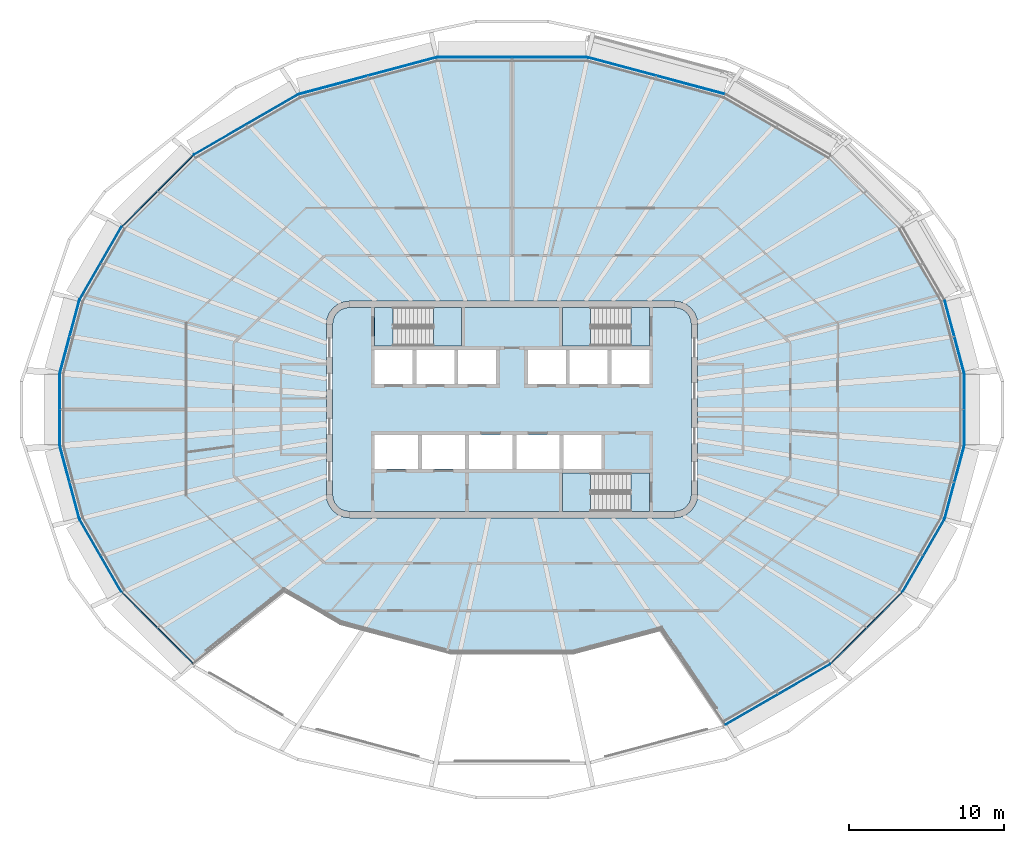
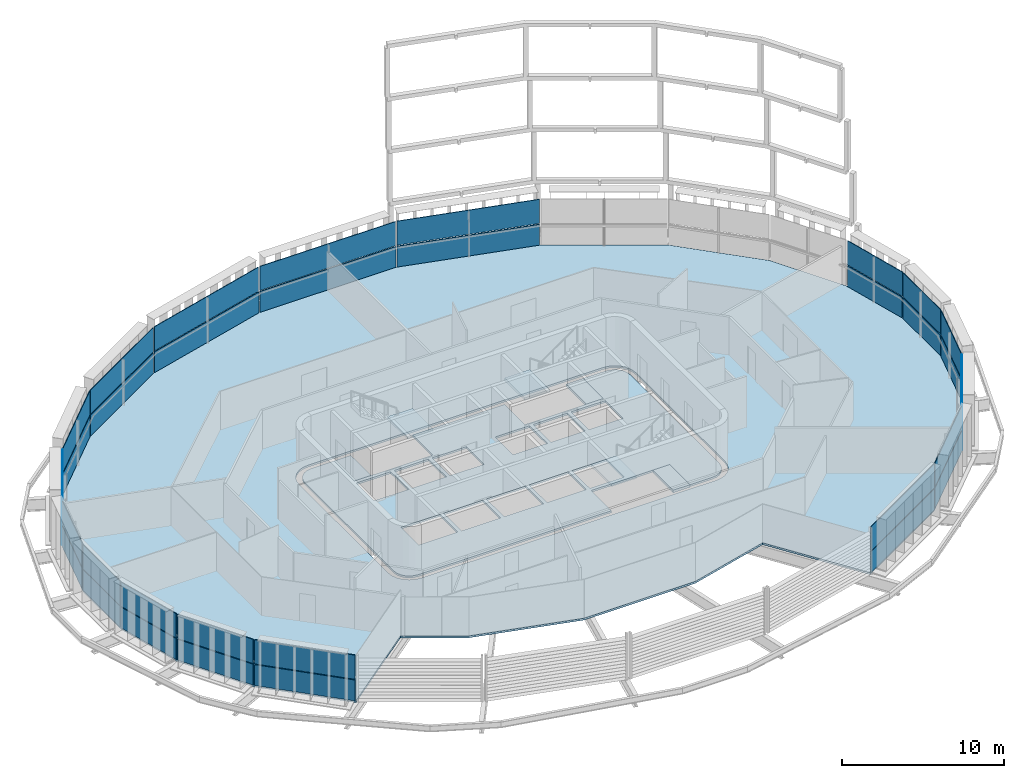
# One storey, part 8 of 19: 34 plates, 8 slabs, 20 elements without a shape of their own.
"""IFC4 building model written with IfcOpenShell, lengths in metres."""

from ifc_helpers import new_model, si_unit, direction, frame, origin, place, context, subcontext, project, spatial, polyline, outline, extrude, material, layer, layer_set, type_object, element, aggregate, save


model = new_model("IFC4")

# Units and contexts
model_context = context("Model", 3, precision=1e-05, world=origin(), true_north=direction((0.0, 1.0)))
body_context = subcontext(model_context, "Body", "Model", "MODEL_VIEW")
ifc_project = project(units=[si_unit("LENGTHUNIT", "METRE"), si_unit("AREAUNIT", "SQUARE_METRE"), si_unit("VOLUMEUNIT", "CUBIC_METRE"), si_unit("PLANEANGLEUNIT", "RADIAN"), si_unit("MASSUNIT", "GRAM", prefix="KILO")], contexts=[model_context])

# Site, building, storey
site_placement = place(None, origin())
site = spatial("IfcSite", under=ifc_project, at=site_placement, CompositionType="ELEMENT")
building_placement = place(site_placement, origin())
building = spatial("IfcBuilding", under=site, at=building_placement, Name="Sahrelin Media Tower", CompositionType="ELEMENT")
storey_placement = place(building_placement, frame((0.0, 0.0, 279.0)))
storey = spatial("IfcBuildingStorey", under=building, at=storey_placement, Name="L61", CompositionType="ELEMENT", Elevation=279.0)

# Slabs
ifc_material_1 = material(Name="Concrete C40/50", Category="concrete")
ifc_layer_1 = layer(ifc_material_1, 0.14990234375)
ifc_layer_set_1 = layer_set([ifc_layer_1], Name="Composite floor slab 150")
slab_type_1 = type_object("IfcSlabType", Name="Composite floor slab 150", PredefinedType="FLOOR", material=ifc_layer_set_1)
placement_1 = place(storey_placement, frame((0.0, 0.0, -0.14990234375)))
element("IfcSlab", 1, at=placement_1, inside=storey, type_object=slab_type_1, Name="Floor slab L61", PredefinedType="FLOOR", context=body_context, shape_type="SweptSolid", body=[
    extrude(outline(polyline([(27.949462890625, -7.06787109375), (29.21435546875, -2.34716796875), (29.21435546875, 2.34716796875), (27.949462890625, 7.06787109375), (25.20751953125, 11.817138671875), (20.602783203125, 16.421875), (13.775146484375, 20.36376953125), (4.88623046875, 22.74560546875), (-4.88623046875, 22.74560546875), (-13.775146484375, 20.36376953125), (-20.602783203125, 16.421875), (-25.20751953125, 11.817138671875), (-27.949462890625, 7.06787109375), (-29.21435546875, 2.34716796875), (-29.21435546875, -2.34716796875), (-27.949462890625, -7.06787109375), (-25.20751953125, -11.817138671875), (-20.602783203125, -16.421875), (-20.598388671875, -16.42431640625), (-14.7353515625, -11.74951171875), (-11.080810546875, -13.859375), (-3.96728515625, -15.765380859375), (3.96728515625, -15.765380859375), (9.634033203125, -14.2470703125), (13.77099609375, -20.364990234375), (13.775146484375, -20.36376953125), (20.602783203125, -16.421875), (25.20751953125, -11.817138671875), (27.949462890625, -7.06787109375)]), holes=[polyline([(11.799072265625, 6.25), (11.948974609375, 5.88818359375), (12.0, 5.5), (12.0, -5.5), (11.948974609375, -5.88818359375), (11.799072265625, -6.25), (11.560791015625, -6.560791015625), (11.25, -6.799072265625), (10.88818359375, -6.948974609375), (10.5, -7.0), (-10.5, -7.0), (-10.88818359375, -6.948974609375), (-11.25, -6.799072265625), (-11.560791015625, -6.560791015625), (-11.799072265625, -6.25), (-11.948974609375, -5.88818359375), (-12.0, -5.5), (-12.0, 5.5), (-11.948974609375, 5.88818359375), (-11.799072265625, 6.25), (-11.560791015625, 6.560791015625), (-11.25, 6.799072265625), (-10.88818359375, 6.948974609375), (-10.5, 7.0), (10.5, 7.0), (10.88818359375, 6.948974609375), (11.25, 6.799072265625), (11.560791015625, 6.560791015625), (11.799072265625, 6.25)])]), origin(), (0.0, 0.0, 1.0), 0.14990234375),
])
ifc_layer_2 = layer(ifc_material_1, 0.14990234375)
ifc_layer_set_2 = layer_set([ifc_layer_2], Name="Core floor slab 150")
slab_type_2 = type_object("IfcSlabType", Name="Core floor slab 150", PredefinedType="FLOOR", material=ifc_layer_set_2)
element("IfcSlab", 2, at=placement_1, inside=storey, type_object=slab_type_2, Name="Core floor", PredefinedType="FLOOR", context=body_context, shape_type="SweptSolid", body=[
    extrude(outline(polyline([(-11.60009765625, -5.473876953125), (-11.55908203125, -5.78369140625), (-11.44970703125, -6.04833984375), (-11.275390625, -6.275390625), (-11.04833984375, -6.44970703125), (-10.78369140625, -6.55908203125), (-10.473876953125, -6.60009765625), (3.27490234375, -6.60009765625), (3.27490234375, -4.10009765625), (8.875, -4.10009765625), (8.875, -6.60009765625), (10.473876953125, -6.60009765625), (10.78369140625, -6.55908203125), (11.04833984375, -6.44970703125), (11.275390625, -6.275390625), (11.44970703125, -6.04833984375), (11.55908203125, -5.78369140625), (11.60009765625, -5.473876953125), (11.60009765625, 5.473876953125), (11.55908203125, 5.78369140625), (11.44970703125, 6.04833984375), (11.275390625, 6.275390625), (11.04833984375, 6.44970703125), (10.78369140625, 6.55908203125), (10.473876953125, 6.60009765625), (8.875, 6.60009765625), (8.875, 4.10009765625), (3.27490234375, 4.10009765625), (3.27490234375, 6.60009765625), (-3.27490234375, 6.60009765625), (-3.27490234375, 4.10009765625), (-8.875, 4.10009765625), (-8.875, 6.60009765625), (-10.473876953125, 6.60009765625), (-10.78369140625, 6.55908203125), (-11.04833984375, 6.44970703125), (-11.275390625, 6.275390625), (-11.44970703125, 6.04833984375), (-11.55908203125, 5.78369140625), (-11.60009765625, 5.473876953125), (-11.60009765625, -5.473876953125)]), holes=[polyline([(-8.875, 3.85009765625), (-8.875, 1.64990234375), (-6.425048828125, 1.64990234375), (-6.425048828125, 3.85009765625), (-8.875, 3.85009765625)]), polyline([(-3.72509765625, 3.85009765625), (-6.175048828125, 3.85009765625), (-6.175048828125, 1.64990234375), (-3.72509765625, 1.64990234375), (-3.72509765625, 3.85009765625)]), polyline([(-1.02490234375, 1.64990234375), (-1.02490234375, 3.85009765625), (-3.47509765625, 3.85009765625), (-3.47509765625, 1.64990234375), (-1.02490234375, 1.64990234375)]), polyline([(1.02490234375, 1.64990234375), (3.47509765625, 1.64990234375), (3.47509765625, 3.85009765625), (1.02490234375, 3.85009765625), (1.02490234375, 1.64990234375)]), polyline([(3.72509765625, 3.85009765625), (3.72509765625, 1.64990234375), (6.175048828125, 1.64990234375), (6.175048828125, 3.85009765625), (3.72509765625, 3.85009765625)]), polyline([(8.875, 3.85009765625), (6.425048828125, 3.85009765625), (6.425048828125, 1.64990234375), (8.875, 1.64990234375), (8.875, 3.85009765625)]), polyline([(-6.074951171875, -3.85009765625), (-6.074951171875, -1.64990234375), (-8.875, -1.64990234375), (-8.875, -3.85009765625), (-6.074951171875, -3.85009765625)]), polyline([(-5.824951171875, -3.85009765625), (-3.02490234375, -3.85009765625), (-3.02490234375, -1.64990234375), (-5.824951171875, -1.64990234375), (-5.824951171875, -3.85009765625)]), polyline([(-2.77490234375, -1.64990234375), (-2.77490234375, -3.85009765625), (0.02490234375, -3.85009765625), (0.02490234375, -1.64990234375), (-2.77490234375, -1.64990234375)]), polyline([(3.074951171875, -1.64990234375), (0.27490234375, -1.64990234375), (0.27490234375, -3.85009765625), (3.074951171875, -3.85009765625), (3.074951171875, -1.64990234375)]), polyline([(5.77490234375, -3.85009765625), (5.77490234375, -1.64990234375), (3.324951171875, -1.64990234375), (3.324951171875, -3.85009765625), (5.77490234375, -3.85009765625)])]), origin(), (0.0, 0.0, 1.0), 0.14990234375),
])

# Curtain wall, plate
ifc_material_2 = material(Name="Champagne anodised aluminium 6063-T6", Category="aluminium")
ifc_layer_3 = layer(ifc_material_2, 0.14990234375)
ifc_layer_set_3 = layer_set([ifc_layer_3], Name="Tower ribbon curtain wall")
curtain_wall_type = type_object("IfcCurtainWallType", Name="Tower ribbon curtain wall", PredefinedType="NOTDEFINED", material=ifc_layer_set_3)
curtain_wall_1_placement = place(storey_placement, frame((29.234375, 0.0, 0.0), z_axis=(0.0, 0.0, 1.0), x_axis=(1.0, 0.0, 0.0)))
curtain_wall_1 = element("IfcCurtainWall", 3, at=curtain_wall_1_placement, inside=storey, type_object=curtain_wall_type, Name="L61:CW:L61-00", PredefinedType="NOTDEFINED")
ifc_material_3 = material(Name="Clear low-iron glazing", Category="glass")
ifc_layer_4 = layer(ifc_material_3, 0.048095703125)
ifc_layer_set_4 = layer_set([ifc_layer_4], Name="Glazing panel 48 mm CW1C")
plate_type_1 = type_object("IfcPlateType", Name="Glazing panel 48 mm CW1C", PredefinedType="CURTAIN_PANEL", material=ifc_layer_set_4)
plate_1_placement = place(storey_placement, frame((29.25439453125, -2.2998046875, 1.6298828125), z_axis=(1.0, 0.0, 0.0), x_axis=(0.0, 1.0, 0.0)))
plate_1 = element("IfcPlate", 4, at=plate_1_placement, type_object=plate_type_1, Name="L61:CWP2:L61-00", PredefinedType="CURTAIN_PANEL", context=body_context, shape_type="SweptSolid", body=[
    extrude(outline(polyline([(0.0, 0.0), (4.599609375, 0.0), (4.599609375, 1.818603515625), (0.0, 1.818603515625), (0.0, 0.0)])), origin(), (0.0, 0.0, -1.0), 0.048095703125),
])

curtain_wall_2_placement = place(storey_placement, frame((28.601318359375, 4.712646484375, 0.0), z_axis=(0.0, 0.0, 1.0), x_axis=(1.0, 0.0, 0.0)))
curtain_wall_2 = element("IfcCurtainWall", 5, at=curtain_wall_2_placement, inside=storey, type_object=curtain_wall_type, Name="L61:CW:L61-01", PredefinedType="NOTDEFINED")
plate_2_placement = place(storey_placement, frame((29.24072265625, 2.4033203125, 1.6298828125), z_axis=(0.965933271712, 0.258791256806, 0.0), x_axis=(-0.258791256806, 0.965933271712, 0.0)))
plate_2 = element("IfcPlate", 6, at=plate_2_placement, type_object=plate_type_1, Name="L61:CWP2:L61-01", PredefinedType="CURTAIN_PANEL", context=body_context, shape_type="SweptSolid", body=[
    extrude(outline(polyline([(0.0, 0.0), (4.79248046875, 0.0), (4.79248046875, 1.818603515625), (0.0, 1.818603515625), (0.0, 0.0)])), origin(), (0.0, 0.0, -1.0), 0.048095703125),
])

curtain_wall_3_placement = place(storey_placement, frame((9.3359375, 21.573974609375, 0.0), z_axis=(0.0, 0.0, 1.0), x_axis=(1.0, 0.0, 0.0)))
curtain_wall_3 = element("IfcCurtainWall", 7, at=curtain_wall_3_placement, inside=storey, type_object=curtain_wall_type, Name="L61:CW:L61-05", PredefinedType="NOTDEFINED")
plate_3_placement = place(storey_placement, frame((13.73974609375, 20.414794921875, 1.6298828125), z_axis=(0.258812012185, 0.965927710726, 0.0), x_axis=(-0.965927710726, 0.258812012185, 0.0)))
plate_3 = element("IfcPlate", 8, at=plate_3_placement, type_object=plate_type_1, Name="L61:CWP2:L61-05", PredefinedType="CURTAIN_PANEL", context=body_context, shape_type="SweptSolid", body=[
    extrude(outline(polyline([(0.0, 0.0), (9.107666015625, 0.0), (9.107666015625, 1.818603515625), (0.0, 1.818603515625), (0.0, 0.0)])), origin(), (0.0, 0.0, -1.0), 0.048095703125),
])

curtain_wall_4_placement = place(storey_placement, frame((0.0, 22.765380859375, 0.0), z_axis=(0.0, 0.0, 1.0), x_axis=(1.0, 0.0, 0.0)))
curtain_wall_4 = element("IfcCurtainWall", 9, at=curtain_wall_4_placement, inside=storey, type_object=curtain_wall_type, Name="L61:CW:L61-06", PredefinedType="NOTDEFINED")
plate_4_placement = place(storey_placement, frame((4.8388671875, 22.785400390625, 1.6298828125), z_axis=(0.0, 1.0, 0.0), x_axis=(-1.0, 0.0, 0.0)))
plate_4 = element("IfcPlate", 10, at=plate_4_placement, type_object=plate_type_1, Name="L61:CWP2:L61-06", PredefinedType="CURTAIN_PANEL", context=body_context, shape_type="SweptSolid", body=[
    extrude(outline(polyline([(0.0, 0.0), (9.677734375, 0.0), (9.677734375, 1.818603515625), (0.0, 1.818603515625), (0.0, 0.0)])), origin(), (0.0, 0.0, -1.0), 0.048095703125),
])

curtain_wall_5_placement = place(storey_placement, frame((-9.335693359375, 21.573974609375, 0.0), z_axis=(0.0, 0.0, 1.0), x_axis=(1.0, 0.0, 0.0)))
curtain_wall_5 = element("IfcCurtainWall", 11, at=curtain_wall_5_placement, inside=storey, type_object=curtain_wall_type, Name="L61:CW:L61-07", PredefinedType="NOTDEFINED")
plate_5_placement = place(storey_placement, frame((-4.9423828125, 22.77197265625, 1.6298828125), z_axis=(-0.258812012185, 0.965927710726, 0.0), x_axis=(-0.965927710726, -0.258812012185, 0.0)))
plate_5 = element("IfcPlate", 12, at=plate_5_placement, type_object=plate_type_1, Name="L61:CWP2:L61-07", PredefinedType="CURTAIN_PANEL", context=body_context, shape_type="SweptSolid", body=[
    extrude(outline(polyline([(0.0, 0.0), (9.107666015625, 0.0), (9.107666015625, 1.818603515625), (0.0, 1.818603515625), (0.0, 0.0)])), origin(), (0.0, 0.0, -1.0), 0.048095703125),
])

curtain_wall_6_placement = place(storey_placement, frame((-17.198974609375, 18.41015625, 0.0), z_axis=(0.0, 0.0, 1.0), x_axis=(1.0, 0.0, 0.0)))
curtain_wall_6 = element("IfcCurtainWall", 13, at=curtain_wall_6_placement, inside=storey, type_object=curtain_wall_type, Name="L61:CW:L61-08", PredefinedType="NOTDEFINED")
plate_6_placement = place(storey_placement, frame((-13.836181640625, 20.374755859375, 1.6298828125), z_axis=(-0.500019089391, 0.866014382239, 0.0), x_axis=(-0.866014382239, -0.500019089391, 0.0)))
plate_6 = element("IfcPlate", 14, at=plate_6_placement, type_object=plate_type_1, Name="L61:CWP2:L61-08", PredefinedType="CURTAIN_PANEL", context=body_context, shape_type="SweptSolid", body=[
    extrude(outline(polyline([(0.0, 0.0), (7.789306640625, 0.0), (7.789306640625, 1.818603515625), (0.0, 1.818603515625), (0.0, 0.0)])), origin(), (0.0, 0.0, -1.0), 0.048095703125),
])

curtain_wall_7_placement = place(storey_placement, frame((-22.919189453125, 14.1337890625, 0.0), z_axis=(0.0, 0.0, 1.0), x_axis=(1.0, 0.0, 0.0)))
curtain_wall_7 = element("IfcCurtainWall", 15, at=curtain_wall_7_placement, inside=storey, type_object=curtain_wall_type, Name="L61:CW:L61-09", PredefinedType="NOTDEFINED")
plate_7_placement = place(storey_placement, frame((-20.66455078125, 16.41650390625, 1.6298828125), z_axis=(-0.707106781187, 0.707106781187, 0.0), x_axis=(-0.707106781187, -0.707106781187, 0.0)))
plate_7 = element("IfcPlate", 16, at=plate_7_placement, type_object=plate_type_1, Name="L61:CWP2:L61-09", PredefinedType="CURTAIN_PANEL", context=body_context, shape_type="SweptSolid", body=[
    extrude(outline(polyline([(0.0, 0.0), (6.417236328125, 0.0), (6.417236328125, 1.818603515625), (0.0, 1.818603515625), (0.0, 0.0)])), origin(), (0.0, 0.0, -1.0), 0.048095703125),
])

curtain_wall_8_placement = place(storey_placement, frame((-26.595703125, 9.452392578125, 0.0), z_axis=(0.0, 0.0, 1.0), x_axis=(1.0, 0.0, 0.0)))
curtain_wall_8 = element("IfcCurtainWall", 17, at=curtain_wall_8_placement, inside=storey, type_object=curtain_wall_type, Name="L61:CW:L61-10", PredefinedType="NOTDEFINED")
plate_8_placement = place(storey_placement, frame((-25.265625, 11.796142578125, 1.6298828125), z_axis=(-0.866009810771, 0.50002700692, 0.0), x_axis=(-0.50002700692, -0.866009810771, 0.0)))
plate_8 = element("IfcPlate", 18, at=plate_8_placement, type_object=plate_type_1, Name="L61:CWP2:L61-10", PredefinedType="CURTAIN_PANEL", context=body_context, shape_type="SweptSolid", body=[
    extrude(outline(polyline([(0.0, 0.0), (5.389404296875, 0.0), (5.389404296875, 1.818603515625), (0.0, 1.818603515625), (0.0, 0.0)])), origin(), (0.0, 0.0, -1.0), 0.048095703125),
])

curtain_wall_9_placement = place(storey_placement, frame((-28.601318359375, 4.712646484375, 0.0), z_axis=(0.0, 0.0, 1.0), x_axis=(1.0, 0.0, 0.0)))
curtain_wall_9 = element("IfcCurtainWall", 19, at=curtain_wall_9_placement, inside=storey, type_object=curtain_wall_type, Name="L61:CW:L61-11", PredefinedType="NOTDEFINED")
plate_9_placement = place(storey_placement, frame((-28.00048828125, 7.032470703125, 1.6298828125), z_axis=(-0.965933271712, 0.258791256806, 0.0), x_axis=(-0.258791256806, -0.965933271712, 0.0)))
plate_9 = element("IfcPlate", 20, at=plate_9_placement, type_object=plate_type_1, Name="L61:CWP2:L61-11", PredefinedType="CURTAIN_PANEL", context=body_context, shape_type="SweptSolid", body=[
    extrude(outline(polyline([(0.0, 0.0), (4.79248046875, 0.0), (4.79248046875, 1.818603515625), (0.0, 1.818603515625), (0.0, 0.0)])), origin(), (0.0, 0.0, -1.0), 0.048095703125),
])

curtain_wall_10_placement = place(storey_placement, frame((-29.234375, 0.0, 0.0), z_axis=(0.0, 0.0, 1.0), x_axis=(1.0, 0.0, 0.0)))
curtain_wall_10 = element("IfcCurtainWall", 21, at=curtain_wall_10_placement, inside=storey, type_object=curtain_wall_type, Name="L61:CW:L61-12", PredefinedType="NOTDEFINED")
plate_10_placement = place(storey_placement, frame((-29.25439453125, 2.2998046875, 1.6298828125), z_axis=(-1.0, 0.0, 0.0), x_axis=(0.0, -1.0, 0.0)))
plate_10 = element("IfcPlate", 22, at=plate_10_placement, type_object=plate_type_1, Name="L61:CWP2:L61-12", PredefinedType="CURTAIN_PANEL", context=body_context, shape_type="SweptSolid", body=[
    extrude(outline(polyline([(0.0, 0.0), (4.599609375, 0.0), (4.599609375, 1.818603515625), (0.0, 1.818603515625), (0.0, 0.0)])), origin(), (0.0, 0.0, -1.0), 0.048095703125),
])

curtain_wall_11_placement = place(storey_placement, frame((-28.601318359375, -4.712646484375, 0.0), z_axis=(0.0, 0.0, 1.0), x_axis=(1.0, 0.0, 0.0)))
curtain_wall_11 = element("IfcCurtainWall", 23, at=curtain_wall_11_placement, inside=storey, type_object=curtain_wall_type, Name="L61:CW:L61-13", PredefinedType="NOTDEFINED")
plate_11_placement = place(storey_placement, frame((-29.24072265625, -2.4033203125, 1.6298828125), z_axis=(-0.965933271712, -0.258791256806, 0.0), x_axis=(0.258791256806, -0.965933271712, 0.0)))
plate_11 = element("IfcPlate", 24, at=plate_11_placement, type_object=plate_type_1, Name="L61:CWP2:L61-13", PredefinedType="CURTAIN_PANEL", context=body_context, shape_type="SweptSolid", body=[
    extrude(outline(polyline([(0.0, 0.0), (4.79248046875, 0.0), (4.79248046875, 1.818603515625), (0.0, 1.818603515625), (0.0, 0.0)])), origin(), (0.0, 0.0, -1.0), 0.048095703125),
])

curtain_wall_12_placement = place(storey_placement, frame((-26.595703125, -9.452392578125, 0.0), z_axis=(0.0, 0.0, 1.0), x_axis=(1.0, 0.0, 0.0)))
curtain_wall_12 = element("IfcCurtainWall", 25, at=curtain_wall_12_placement, inside=storey, type_object=curtain_wall_type, Name="L61:CW:L61-14", PredefinedType="NOTDEFINED")
plate_12_placement = place(storey_placement, frame((-27.96044921875, -7.12890625, 1.6298828125), z_axis=(-0.866009810771, -0.50002700692, 0.0), x_axis=(0.50002700692, -0.866009810771, 0.0)))
plate_12 = element("IfcPlate", 26, at=plate_12_placement, type_object=plate_type_1, Name="L61:CWP2:L61-14", PredefinedType="CURTAIN_PANEL", context=body_context, shape_type="SweptSolid", body=[
    extrude(outline(polyline([(0.0, 0.0), (5.389404296875, 0.0), (5.389404296875, 1.818603515625), (0.0, 1.818603515625), (0.0, 0.0)])), origin(), (0.0, 0.0, -1.0), 0.048095703125),
])

curtain_wall_13_placement = place(storey_placement, frame((-22.919189453125, -14.133544921875, 0.0), z_axis=(0.0, 0.0, 1.0), x_axis=(1.0, 0.0, 0.0)))
curtain_wall_13 = element("IfcCurtainWall", 27, at=curtain_wall_13_placement, inside=storey, type_object=curtain_wall_type, Name="L61:CW:L61-15", PredefinedType="NOTDEFINED")
plate_13_placement = place(storey_placement, frame((-25.2021484375, -11.87890625, 1.6298828125), z_axis=(-0.707106781187, -0.707106781187, 0.0), x_axis=(0.707106781187, -0.707106781187, 0.0)))
plate_13 = element("IfcPlate", 28, at=plate_13_placement, type_object=plate_type_1, Name="L61:CWP2:L61-15", PredefinedType="CURTAIN_PANEL", context=body_context, shape_type="SweptSolid", body=[
    extrude(outline(polyline([(0.0, 0.0), (6.417236328125, 0.0), (6.417236328125, 1.818603515625), (0.0, 1.818603515625), (0.0, 0.0)])), origin(), (0.0, 0.0, -1.0), 0.048095703125),
])

curtain_wall_14_placement = place(storey_placement, frame((17.198974609375, -18.41015625, 0.0), z_axis=(0.0, 0.0, 1.0), x_axis=(1.0, 0.0, 0.0)))
curtain_wall_14 = element("IfcCurtainWall", 29, at=curtain_wall_14_placement, inside=storey, type_object=curtain_wall_type, Name="L61:CW:L61-20", PredefinedType="NOTDEFINED")
plate_14_placement = place(storey_placement, frame((13.836181640625, -20.374755859375, 1.6298828125), z_axis=(0.500019089391, -0.866014382239, 0.0), x_axis=(0.866014382239, 0.500019089391, 0.0)))
plate_14 = element("IfcPlate", 30, at=plate_14_placement, type_object=plate_type_1, Name="L61:CWP2:L61-20", PredefinedType="CURTAIN_PANEL", context=body_context, shape_type="SweptSolid", body=[
    extrude(outline(polyline([(0.0, 0.0), (7.789306640625, 0.0), (7.789306640625, 1.818603515625), (0.0, 1.818603515625), (0.0, 0.0)])), origin(), (0.0, 0.0, -1.0), 0.048095703125),
])

curtain_wall_15_placement = place(storey_placement, frame((22.919189453125, -14.1337890625, 0.0), z_axis=(0.0, 0.0, 1.0), x_axis=(1.0, 0.0, 0.0)))
curtain_wall_15 = element("IfcCurtainWall", 31, at=curtain_wall_15_placement, inside=storey, type_object=curtain_wall_type, Name="L61:CW:L61-21", PredefinedType="NOTDEFINED")
plate_15_placement = place(storey_placement, frame((20.66455078125, -16.41650390625, 1.6298828125), z_axis=(0.707106781187, -0.707106781187, 0.0), x_axis=(0.707106781187, 0.707106781187, 0.0)))
plate_15 = element("IfcPlate", 32, at=plate_15_placement, type_object=plate_type_1, Name="L61:CWP2:L61-21", PredefinedType="CURTAIN_PANEL", context=body_context, shape_type="SweptSolid", body=[
    extrude(outline(polyline([(0.0, 0.0), (6.417236328125, 0.0), (6.417236328125, 1.818603515625), (0.0, 1.818603515625), (0.0, 0.0)])), origin(), (0.0, 0.0, -1.0), 0.048095703125),
])

curtain_wall_16_placement = place(storey_placement, frame((26.595703125, -9.452392578125, 0.0), z_axis=(0.0, 0.0, 1.0), x_axis=(1.0, 0.0, 0.0)))
curtain_wall_16 = element("IfcCurtainWall", 33, at=curtain_wall_16_placement, inside=storey, type_object=curtain_wall_type, Name="L61:CW:L61-22", PredefinedType="NOTDEFINED")
plate_16_placement = place(storey_placement, frame((25.265625, -11.796142578125, 1.6298828125), z_axis=(0.866009810771, -0.50002700692, 0.0), x_axis=(0.50002700692, 0.866009810771, 0.0)))
plate_16 = element("IfcPlate", 34, at=plate_16_placement, type_object=plate_type_1, Name="L61:CWP2:L61-22", PredefinedType="CURTAIN_PANEL", context=body_context, shape_type="SweptSolid", body=[
    extrude(outline(polyline([(0.0, 0.0), (5.389404296875, 0.0), (5.389404296875, 1.818603515625), (0.0, 1.818603515625), (0.0, 0.0)])), origin(), (0.0, 0.0, -1.0), 0.048095703125),
])

curtain_wall_17_placement = place(storey_placement, frame((28.601318359375, -4.712646484375, 0.0), z_axis=(0.0, 0.0, 1.0), x_axis=(1.0, 0.0, 0.0)))
curtain_wall_17 = element("IfcCurtainWall", 35, at=curtain_wall_17_placement, inside=storey, type_object=curtain_wall_type, Name="L61:CW:L61-23", PredefinedType="NOTDEFINED")
plate_17_placement = place(storey_placement, frame((28.00048828125, -7.032470703125, 1.6298828125), z_axis=(0.965933271712, -0.258791256806, 0.0), x_axis=(0.258791256806, 0.965933271712, 0.0)))
plate_17 = element("IfcPlate", 36, at=plate_17_placement, type_object=plate_type_1, Name="L61:CWP2:L61-23", PredefinedType="CURTAIN_PANEL", context=body_context, shape_type="SweptSolid", body=[
    extrude(outline(polyline([(0.0, 0.0), (4.79248046875, 0.0), (4.79248046875, 1.818603515625), (0.0, 1.818603515625), (0.0, 0.0)])), origin(), (0.0, 0.0, -1.0), 0.048095703125),
])

# Plate
ifc_material_4 = material(Name="Insulated spandrel panel")
ifc_layer_5 = layer(ifc_material_4, 0.06005859375)
ifc_layer_set_5 = layer_set([ifc_layer_5], Name="Spandrel panel 60 mm CW1")
plate_type_2 = type_object("IfcPlateType", Name="Spandrel panel 60 mm CW1", PredefinedType="SHEET", material=ifc_layer_set_5)
plate_18_placement = place(storey_placement, frame((29.25439453125, -2.2998046875, 0.0), z_axis=(1.0, 0.0, 0.0), x_axis=(0.0, 1.0, 0.0)))
plate_18 = element("IfcPlate", 37, at=plate_18_placement, type_object=plate_type_2, Name="L61:CWP1:L61-00", PredefinedType="SHEET", context=body_context, shape_type="SweptSolid", body=[
    extrude(outline(polyline([(0.0, 0.0), (4.599609375, 0.0), (4.599609375, 1.570068359375), (0.0, 1.570068359375), (0.0, 0.0)])), origin(), (0.0, 0.0, -1.0), 0.06005859375),
])

aggregate(curtain_wall_1, [plate_18, plate_1])

plate_19_placement = place(storey_placement, frame((29.24072265625, 2.4033203125, 0.0), z_axis=(0.965933271712, 0.258791256806, 0.0), x_axis=(-0.258791256806, 0.965933271712, 0.0)))
plate_19 = element("IfcPlate", 38, at=plate_19_placement, type_object=plate_type_2, Name="L61:CWP1:L61-01", PredefinedType="SHEET", context=body_context, shape_type="SweptSolid", body=[
    extrude(outline(polyline([(0.0, 0.0), (4.79248046875, 0.0), (4.79248046875, 1.570068359375), (0.0, 1.570068359375), (0.0, 0.0)])), origin(), (0.0, 0.0, -1.0), 0.06005859375),
])

aggregate(curtain_wall_2, [plate_19, plate_2])

plate_20_placement = place(storey_placement, frame((13.73974609375, 20.414794921875, 0.0), z_axis=(0.258812012185, 0.965927710726, 0.0), x_axis=(-0.965927710726, 0.258812012185, 0.0)))
plate_20 = element("IfcPlate", 39, at=plate_20_placement, type_object=plate_type_2, Name="L61:CWP1:L61-05", PredefinedType="SHEET", context=body_context, shape_type="SweptSolid", body=[
    extrude(outline(polyline([(0.0, 0.0), (9.107666015625, 0.0), (9.107666015625, 1.570068359375), (0.0, 1.570068359375), (0.0, 0.0)])), origin(), (0.0, 0.0, -1.0), 0.06005859375),
])

aggregate(curtain_wall_3, [plate_20, plate_3])

plate_21_placement = place(storey_placement, frame((4.8388671875, 22.785400390625, 0.0), z_axis=(0.0, 1.0, 0.0), x_axis=(-1.0, 0.0, 0.0)))
plate_21 = element("IfcPlate", 40, at=plate_21_placement, type_object=plate_type_2, Name="L61:CWP1:L61-06", PredefinedType="SHEET", context=body_context, shape_type="SweptSolid", body=[
    extrude(outline(polyline([(0.0, 0.0), (9.677734375, 0.0), (9.677734375, 1.570068359375), (0.0, 1.570068359375), (0.0, 0.0)])), origin(), (0.0, 0.0, -1.0), 0.06005859375),
])

aggregate(curtain_wall_4, [plate_21, plate_4])

plate_22_placement = place(storey_placement, frame((-4.9423828125, 22.77197265625, 0.0), z_axis=(-0.258812012185, 0.965927710726, 0.0), x_axis=(-0.965927710726, -0.258812012185, 0.0)))
plate_22 = element("IfcPlate", 41, at=plate_22_placement, type_object=plate_type_2, Name="L61:CWP1:L61-07", PredefinedType="SHEET", context=body_context, shape_type="SweptSolid", body=[
    extrude(outline(polyline([(0.0, 0.0), (9.107666015625, 0.0), (9.107666015625, 1.570068359375), (0.0, 1.570068359375), (0.0, 0.0)])), origin(), (0.0, 0.0, -1.0), 0.06005859375),
])

aggregate(curtain_wall_5, [plate_22, plate_5])

plate_23_placement = place(storey_placement, frame((-13.836181640625, 20.374755859375, 0.0), z_axis=(-0.500019089391, 0.866014382239, 0.0), x_axis=(-0.866014382239, -0.500019089391, 0.0)))
plate_23 = element("IfcPlate", 42, at=plate_23_placement, type_object=plate_type_2, Name="L61:CWP1:L61-08", PredefinedType="SHEET", context=body_context, shape_type="SweptSolid", body=[
    extrude(outline(polyline([(0.0, 0.0), (7.789306640625, 0.0), (7.789306640625, 1.570068359375), (0.0, 1.570068359375), (0.0, 0.0)])), origin(), (0.0, 0.0, -1.0), 0.06005859375),
])

aggregate(curtain_wall_6, [plate_23, plate_6])

plate_24_placement = place(storey_placement, frame((-20.66455078125, 16.41650390625, 0.0), z_axis=(-0.707106781187, 0.707106781187, 0.0), x_axis=(-0.707106781187, -0.707106781187, 0.0)))
plate_24 = element("IfcPlate", 43, at=plate_24_placement, type_object=plate_type_2, Name="L61:CWP1:L61-09", PredefinedType="SHEET", context=body_context, shape_type="SweptSolid", body=[
    extrude(outline(polyline([(0.0, 0.0), (6.417236328125, 0.0), (6.417236328125, 1.570068359375), (0.0, 1.570068359375), (0.0, 0.0)])), origin(), (0.0, 0.0, -1.0), 0.06005859375),
])

aggregate(curtain_wall_7, [plate_24, plate_7])

plate_25_placement = place(storey_placement, frame((-25.265625, 11.796142578125, 0.0), z_axis=(-0.866009810771, 0.50002700692, 0.0), x_axis=(-0.50002700692, -0.866009810771, 0.0)))
plate_25 = element("IfcPlate", 44, at=plate_25_placement, type_object=plate_type_2, Name="L61:CWP1:L61-10", PredefinedType="SHEET", context=body_context, shape_type="SweptSolid", body=[
    extrude(outline(polyline([(0.0, 0.0), (5.389404296875, 0.0), (5.389404296875, 1.570068359375), (0.0, 1.570068359375), (0.0, 0.0)])), origin(), (0.0, 0.0, -1.0), 0.06005859375),
])

aggregate(curtain_wall_8, [plate_25, plate_8])

plate_26_placement = place(storey_placement, frame((-28.00048828125, 7.032470703125, 0.0), z_axis=(-0.965933271712, 0.258791256806, 0.0), x_axis=(-0.258791256806, -0.965933271712, 0.0)))
plate_26 = element("IfcPlate", 45, at=plate_26_placement, type_object=plate_type_2, Name="L61:CWP1:L61-11", PredefinedType="SHEET", context=body_context, shape_type="SweptSolid", body=[
    extrude(outline(polyline([(0.0, 0.0), (4.79248046875, 0.0), (4.79248046875, 1.570068359375), (0.0, 1.570068359375), (0.0, 0.0)])), origin(), (0.0, 0.0, -1.0), 0.06005859375),
])

aggregate(curtain_wall_9, [plate_26, plate_9])

plate_27_placement = place(storey_placement, frame((-29.25439453125, 2.2998046875, 0.0), z_axis=(-1.0, 0.0, 0.0), x_axis=(0.0, -1.0, 0.0)))
plate_27 = element("IfcPlate", 46, at=plate_27_placement, type_object=plate_type_2, Name="L61:CWP1:L61-12", PredefinedType="SHEET", context=body_context, shape_type="SweptSolid", body=[
    extrude(outline(polyline([(0.0, 0.0), (4.599609375, 0.0), (4.599609375, 1.570068359375), (0.0, 1.570068359375), (0.0, 0.0)])), origin(), (0.0, 0.0, -1.0), 0.06005859375),
])

aggregate(curtain_wall_10, [plate_27, plate_10])

plate_28_placement = place(storey_placement, frame((-29.24072265625, -2.4033203125, 0.0), z_axis=(-0.965933271712, -0.258791256806, 0.0), x_axis=(0.258791256806, -0.965933271712, 0.0)))
plate_28 = element("IfcPlate", 47, at=plate_28_placement, type_object=plate_type_2, Name="L61:CWP1:L61-13", PredefinedType="SHEET", context=body_context, shape_type="SweptSolid", body=[
    extrude(outline(polyline([(0.0, 0.0), (4.79248046875, 0.0), (4.79248046875, 1.570068359375), (0.0, 1.570068359375), (0.0, 0.0)])), origin(), (0.0, 0.0, -1.0), 0.06005859375),
])

aggregate(curtain_wall_11, [plate_28, plate_11])

plate_29_placement = place(storey_placement, frame((-27.96044921875, -7.12890625, 0.0), z_axis=(-0.866009810771, -0.50002700692, 0.0), x_axis=(0.50002700692, -0.866009810771, 0.0)))
plate_29 = element("IfcPlate", 48, at=plate_29_placement, type_object=plate_type_2, Name="L61:CWP1:L61-14", PredefinedType="SHEET", context=body_context, shape_type="SweptSolid", body=[
    extrude(outline(polyline([(0.0, 0.0), (5.389404296875, 0.0), (5.389404296875, 1.570068359375), (0.0, 1.570068359375), (0.0, 0.0)])), origin(), (0.0, 0.0, -1.0), 0.06005859375),
])

aggregate(curtain_wall_12, [plate_29, plate_12])

plate_30_placement = place(storey_placement, frame((-25.2021484375, -11.87890625, 0.0), z_axis=(-0.707106781187, -0.707106781187, 0.0), x_axis=(0.707106781187, -0.707106781187, 0.0)))
plate_30 = element("IfcPlate", 49, at=plate_30_placement, type_object=plate_type_2, Name="L61:CWP1:L61-15", PredefinedType="SHEET", context=body_context, shape_type="SweptSolid", body=[
    extrude(outline(polyline([(0.0, 0.0), (6.417236328125, 0.0), (6.417236328125, 1.570068359375), (0.0, 1.570068359375), (0.0, 0.0)])), origin(), (0.0, 0.0, -1.0), 0.06005859375),
])

aggregate(curtain_wall_13, [plate_30, plate_13])

plate_31_placement = place(storey_placement, frame((13.836181640625, -20.374755859375, 0.0), z_axis=(0.500019089391, -0.866014382239, 0.0), x_axis=(0.866014382239, 0.500019089391, 0.0)))
plate_31 = element("IfcPlate", 50, at=plate_31_placement, type_object=plate_type_2, Name="L61:CWP1:L61-20", PredefinedType="SHEET", context=body_context, shape_type="SweptSolid", body=[
    extrude(outline(polyline([(0.0, 0.0), (7.789306640625, 0.0), (7.789306640625, 1.570068359375), (0.0, 1.570068359375), (0.0, 0.0)])), origin(), (0.0, 0.0, -1.0), 0.06005859375),
])

aggregate(curtain_wall_14, [plate_31, plate_14])

plate_32_placement = place(storey_placement, frame((20.66455078125, -16.41650390625, 0.0), z_axis=(0.707106781187, -0.707106781187, 0.0), x_axis=(0.707106781187, 0.707106781187, 0.0)))
plate_32 = element("IfcPlate", 51, at=plate_32_placement, type_object=plate_type_2, Name="L61:CWP1:L61-21", PredefinedType="SHEET", context=body_context, shape_type="SweptSolid", body=[
    extrude(outline(polyline([(0.0, 0.0), (6.417236328125, 0.0), (6.417236328125, 1.570068359375), (0.0, 1.570068359375), (0.0, 0.0)])), origin(), (0.0, 0.0, -1.0), 0.06005859375),
])

aggregate(curtain_wall_15, [plate_32, plate_15])

plate_33_placement = place(storey_placement, frame((25.265625, -11.796142578125, 0.0), z_axis=(0.866009810771, -0.50002700692, 0.0), x_axis=(0.50002700692, 0.866009810771, 0.0)))
plate_33 = element("IfcPlate", 52, at=plate_33_placement, type_object=plate_type_2, Name="L61:CWP1:L61-22", PredefinedType="SHEET", context=body_context, shape_type="SweptSolid", body=[
    extrude(outline(polyline([(0.0, 0.0), (5.389404296875, 0.0), (5.389404296875, 1.570068359375), (0.0, 1.570068359375), (0.0, 0.0)])), origin(), (0.0, 0.0, -1.0), 0.06005859375),
])

aggregate(curtain_wall_16, [plate_33, plate_16])

plate_34_placement = place(storey_placement, frame((28.00048828125, -7.032470703125, 0.0), z_axis=(0.965933271712, -0.258791256806, 0.0), x_axis=(0.258791256806, 0.965933271712, 0.0)))
plate_34 = element("IfcPlate", 53, at=plate_34_placement, type_object=plate_type_2, Name="L61:CWP1:L61-23", PredefinedType="SHEET", context=body_context, shape_type="SweptSolid", body=[
    extrude(outline(polyline([(0.0, 0.0), (4.79248046875, 0.0), (4.79248046875, 1.570068359375), (0.0, 1.570068359375), (0.0, 0.0)])), origin(), (0.0, 0.0, -1.0), 0.06005859375),
])

aggregate(curtain_wall_17, [plate_34, plate_17])

# Stair, slabs
stair_type = type_object("IfcStairType", Name="Exit stair 1200", PredefinedType="HALF_TURN_STAIR", material=ifc_material_1)
placement_2 = place(storey_placement, origin())
stair_1 = element("IfcStair", 54, at=placement_2, inside=storey, type_object=stair_type, Name="L61 Exit stair ST1", PredefinedType="HALF_TURN_STAIR")
ifc_layer_6 = layer(ifc_material_1, 0.199951171875)
ifc_layer_set_6 = layer_set([ifc_layer_6], Name="Stair landing 200")
slab_type_3 = type_object("IfcSlabType", Name="Stair landing 200", PredefinedType="LANDING", material=ifc_layer_set_6)
placement_3 = place(storey_placement, frame((0.0, 0.0, 1.800048828125)))
slab_3 = element("IfcSlab", 55, at=placement_3, type_object=slab_type_3, Name="ST1 landing 1", PredefinedType="LANDING", context=body_context, shape_type="SweptSolid", body=[
    extrude(outline(polyline([(-5.074951171875, 4.10009765625), (-3.27490234375, 4.10009765625), (-3.27490234375, 6.60009765625), (-5.074951171875, 6.60009765625), (-5.074951171875, 4.10009765625)])), origin(), (0.0, 0.0, 1.0), 0.199951171875),
])
placement_4 = place(storey_placement, frame((0.0, 0.0, -0.199951171875)))
slab_4 = element("IfcSlab", 56, at=placement_4, type_object=slab_type_3, Name="ST1 landing 2", PredefinedType="LANDING", context=body_context, shape_type="SweptSolid", body=[
    extrude(outline(polyline([(-8.875, 4.10009765625), (-7.675048828125, 4.10009765625), (-7.675048828125, 6.60009765625), (-8.875, 6.60009765625), (-8.875, 4.10009765625)])), origin(), (0.0, 0.0, 1.0), 0.199951171875),
])
aggregate(stair_1, [slab_3, slab_4])

stair_2 = element("IfcStair", 57, at=placement_2, inside=storey, type_object=stair_type, Name="L61 Exit stair ST3", PredefinedType="HALF_TURN_STAIR")
slab_5 = element("IfcSlab", 58, at=placement_3, type_object=slab_type_3, Name="ST3 landing 1", PredefinedType="LANDING", context=body_context, shape_type="SweptSolid", body=[
    extrude(outline(polyline([(5.074951171875, 6.60009765625), (3.27490234375, 6.60009765625), (3.27490234375, 4.10009765625), (5.074951171875, 4.10009765625), (5.074951171875, 6.60009765625)])), origin(), (0.0, 0.0, 1.0), 0.199951171875),
])
slab_6 = element("IfcSlab", 59, at=placement_4, type_object=slab_type_3, Name="ST3 landing 2", PredefinedType="LANDING", context=body_context, shape_type="SweptSolid", body=[
    extrude(outline(polyline([(8.875, 6.60009765625), (7.675048828125, 6.60009765625), (7.675048828125, 4.10009765625), (8.875, 4.10009765625), (8.875, 6.60009765625)])), origin(), (0.0, 0.0, 1.0), 0.199951171875),
])
aggregate(stair_2, [slab_5, slab_6])

stair_3 = element("IfcStair", 60, at=placement_2, inside=storey, type_object=stair_type, Name="L61 Exit stair ST2", PredefinedType="HALF_TURN_STAIR")
slab_7 = element("IfcSlab", 61, at=placement_3, type_object=slab_type_3, Name="ST2 landing 1", PredefinedType="LANDING", context=body_context, shape_type="SweptSolid", body=[
    extrude(outline(polyline([(5.074951171875, -4.10009765625), (3.27490234375, -4.10009765625), (3.27490234375, -6.60009765625), (5.074951171875, -6.60009765625), (5.074951171875, -4.10009765625)])), origin(), (0.0, 0.0, 1.0), 0.199951171875),
])
slab_8 = element("IfcSlab", 62, at=placement_4, type_object=slab_type_3, Name="ST2 landing 2", PredefinedType="LANDING", context=body_context, shape_type="SweptSolid", body=[
    extrude(outline(polyline([(8.875, -4.10009765625), (7.675048828125, -4.10009765625), (7.675048828125, -6.60009765625), (8.875, -6.60009765625), (8.875, -4.10009765625)])), origin(), (0.0, 0.0, 1.0), 0.199951171875),
])
aggregate(stair_3, [slab_7, slab_8])

save(model, "model.ifc")
